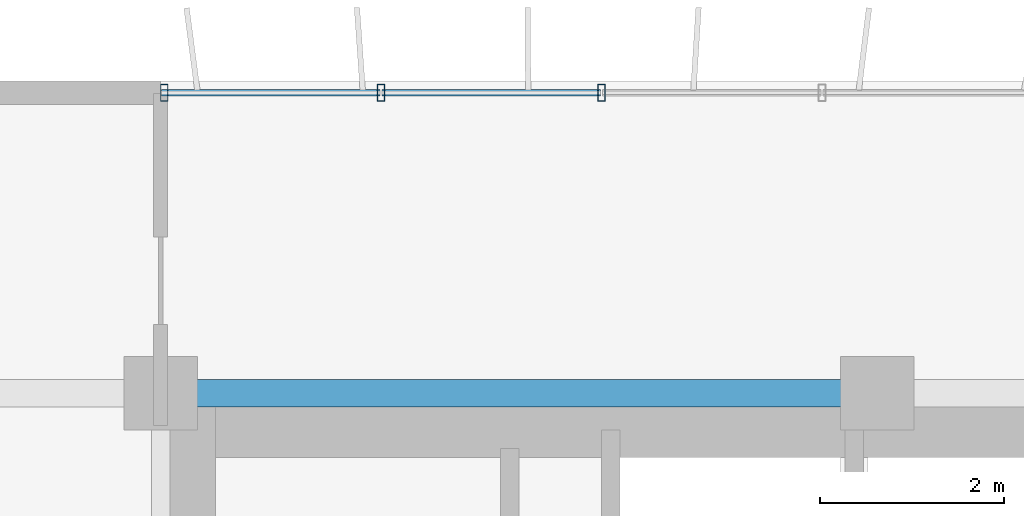
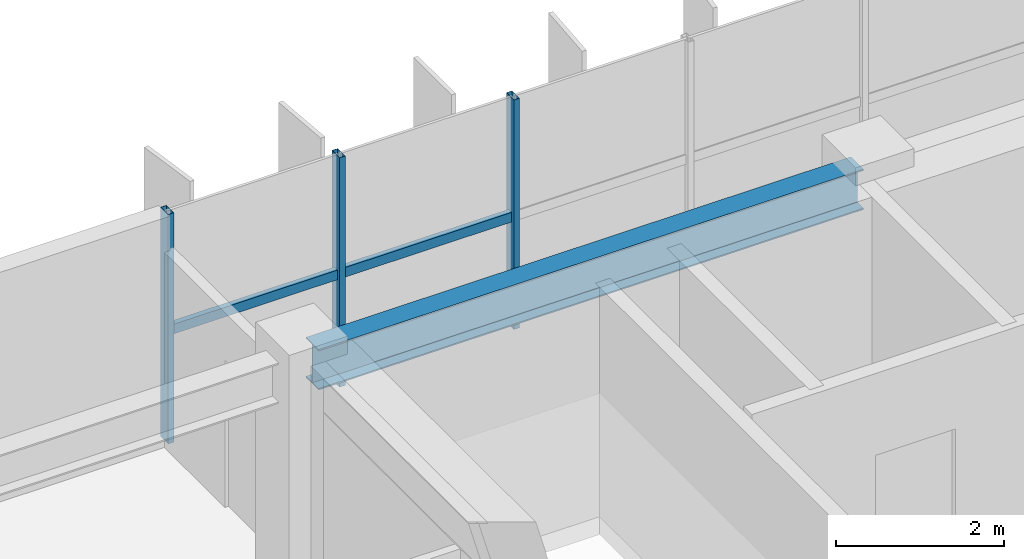
# One storey, part 5 of 22: 5 members, 1 beam, 1 element without a shape of its own.
"""IFC4 building model written with IfcOpenShell, lengths in metres."""

import ifcopenshell
import ifcopenshell.guid

model = None  # the IFC model being written
_history = None  # IfcOwnerHistory: only IFC2X3 demands one
_inside = {}  # id of a spatial element -> (the spatial element, [elements in it])
_under = {}  # id of a project, library or spatial element -> (it, [spatial elements below it])
_declared = {}  # id of a project -> (the project, [libraries it declares])
_typed = {}  # id of a type object -> (the type object, [elements of that type])
_made_of = {}  # id of a material, layer set ... -> (it, [elements and type objects made of it])


def new_model(schema):
    """Start an empty IFC model of exactly this schema.

    Asked for "IFC4X3", IfcOpenShell would pick the latest addendum, in which some entities
    have other attributes; the version numbers below select the first issue.
    IFC2X3 requires an IfcOwnerHistory on every rooted entity: one is made here for all.
    """
    global model, _history
    if schema == "IFC4X3":
        model = ifcopenshell.file(schema_version=(4, 3, 0, 0))
    else:
        model = ifcopenshell.file(schema=schema)
    _inside.clear()
    _under.clear()
    _declared.clear()
    _typed.clear()
    _made_of.clear()
    _history = None
    if model.schema == "IFC2X3":
        org = make("IfcOrganization", Name="unknown")
        user = make(
            "IfcPersonAndOrganization",
            ThePerson=make("IfcPerson", FamilyName="unknown"),
            TheOrganization=org,
        )
        app = make(
            "IfcApplication",
            ApplicationDeveloper=org,
            Version="unknown",
            ApplicationFullName="unknown",
            ApplicationIdentifier="unknown",
        )
        _history = make(
            "IfcOwnerHistory",
            OwningUser=user,
            OwningApplication=app,
            ChangeAction="ADDED",
            CreationDate=0,
        )
    return model


def make(cls, **values):
    """One entity of the class cls with the attributes given. An attribute that is None is left unset."""
    return model.create_entity(
        cls, **{name: value for name, value in values.items() if value is not None}
    )


def rooted(cls, **values):
    """An entity with a GlobalId (a new one), such as an element, a storey or a relation."""
    return make(cls, GlobalId=ifcopenshell.guid.new(), OwnerHistory=_history, **values)


def si_unit(unit_type, name, prefix=None):
    """IfcSIUnit, for example si_unit("LENGTHUNIT", "METRE", prefix="MILLI")."""
    return make("IfcSIUnit", UnitType=unit_type, Prefix=prefix, Name=name)


def assignment(units):
    """IfcUnitAssignment: the units of a project."""
    return None if units is None else make("IfcUnitAssignment", Units=units)


def point(xyz):
    """IfcCartesianPoint."""
    return None if xyz is None else make("IfcCartesianPoint", Coordinates=xyz)


def direction(xyz):
    """IfcDirection."""
    return None if xyz is None else make("IfcDirection", DirectionRatios=xyz)


def frame(location, z_axis=None, x_axis=None):
    """IfcAxis2Placement3D, a coordinate frame: its origin and axes. An axis left out is left unset."""
    return make(
        "IfcAxis2Placement3D",
        Location=point(location),
        Axis=direction(z_axis),
        RefDirection=direction(x_axis),
    )


def frame_2d(location, x_axis=None):
    """IfcAxis2Placement2D, a coordinate frame in the plane: its origin and x axis."""
    return make(
        "IfcAxis2Placement2D", Location=point(location), RefDirection=direction(x_axis)
    )


def origin():
    """The frame at (0, 0, 0) with its axes left unset."""
    return frame((0.0, 0.0, 0.0))


def origin_2d():
    """The frame at (0, 0) in the plane with its x axis left unset."""
    return frame_2d((0.0, 0.0))


def place(relative_to, where):
    """IfcLocalPlacement: puts the frame where relative to a parent placement (None: the world)."""
    return make(
        "IfcLocalPlacement", PlacementRelTo=relative_to, RelativePlacement=where
    )


def context(
    kind, dimensions, precision=None, world=None, true_north=None, identifier=None
):
    """IfcGeometricRepresentationContext, for example the 3D "Model" context."""
    return make(
        "IfcGeometricRepresentationContext",
        ContextIdentifier=identifier,
        ContextType=kind,
        CoordinateSpaceDimension=dimensions,
        Precision=precision,
        WorldCoordinateSystem=world,
        TrueNorth=true_north,
    )


def subcontext(parent, identifier, kind, view, scale=None):
    """IfcGeometricRepresentationSubContext, for example "Body" below "Model"."""
    return make(
        "IfcGeometricRepresentationSubContext",
        ContextIdentifier=identifier,
        ContextType=kind,
        ParentContext=parent,
        TargetScale=scale,
        TargetView=view,
    )


def project(units=None, contexts=None):
    """IfcProject with its units and contexts."""
    return rooted(
        "IfcProject",
        Name="project",
        RepresentationContexts=contexts,
        UnitsInContext=assignment(units),
    )


def spatial(cls, under=None, at=None, **own):
    """A site, building, storey or space (cls), placed at a placement, below another one or the project."""
    s = rooted(cls, ObjectPlacement=at, **own)
    if under is not None:
        _under.setdefault(under.id(), (under, []))[1].append(s)
    return s


def profile(cls, at=None, kind="AREA", **sizes):
    """A parametric profile (cls). Its sizes go by their IFC names, for example OverallWidth=200.0."""
    return make(cls, ProfileType=kind, Position=at, **sizes)


def hollow_rectangle(**sizes):
    """IfcRectangleHollowProfileDef."""
    return profile("IfcRectangleHollowProfileDef", **sizes)


def i_section(**sizes):
    """IfcIShapeProfileDef."""
    return profile("IfcIShapeProfileDef", **sizes)


def extrude(swept, where, along, depth):
    """IfcExtrudedAreaSolid: the profile swept, set in the frame where, extruded along a direction by depth."""
    return make(
        "IfcExtrudedAreaSolid",
        SweptArea=swept,
        Position=where,
        ExtrudedDirection=direction(along),
        Depth=depth,
    )


def shape(context_of_items, identifier, shape_type, items):
    """IfcShapeRepresentation: the items that make up one representation, for example the "Body"."""
    return make(
        "IfcShapeRepresentation",
        ContextOfItems=context_of_items,
        RepresentationIdentifier=identifier,
        RepresentationType=shape_type,
        Items=items,
    )


def source(mapping_origin, context_of_items, identifier, shape_type, items):
    """IfcRepresentationMap: a shape defined once, which mapped items show again and again."""
    return make(
        "IfcRepresentationMap",
        MappingOrigin=mapping_origin,
        MappedRepresentation=shape(context_of_items, identifier, shape_type, items),
    )


def transform(
    local_origin,
    x_axis=None,
    y_axis=None,
    z_axis=None,
    scale=None,
    scale2=None,
    scale3=None,
    uniform=True,
):
    """IfcCartesianTransformationOperator3D, or its non-uniform kind. x_axis, y_axis, z_axis: its Axis1, 2, 3."""
    if uniform:
        return make(
            "IfcCartesianTransformationOperator3D",
            Axis1=direction(x_axis),
            Axis2=direction(y_axis),
            LocalOrigin=point(local_origin),
            Scale=scale,
            Axis3=direction(z_axis),
        )
    return make(
        "IfcCartesianTransformationOperator3DnonUniform",
        Axis1=direction(x_axis),
        Axis2=direction(y_axis),
        LocalOrigin=point(local_origin),
        Scale=scale,
        Axis3=direction(z_axis),
        Scale2=scale2,
        Scale3=scale3,
    )


def mapped(mapping_source, mapping_target):
    """IfcMappedItem: shows the shape of a source again, moved by a transform."""
    return make(
        "IfcMappedItem", MappingSource=mapping_source, MappingTarget=mapping_target
    )


def material(Name=None, Category=None):
    """IfcMaterial."""
    return make("IfcMaterial", Name=Name, Category=Category)


def material_profile(
    of_material, cross_section, Name=None, Category=None, Priority=None
):
    """IfcMaterialProfile: a cross section and its material."""
    return make(
        "IfcMaterialProfile",
        Name=Name,
        Material=of_material,
        Profile=cross_section,
        Priority=Priority,
        Category=Category,
    )


def profile_set(profiles, Name=None, composite=None):
    """IfcMaterialProfileSet."""
    return make(
        "IfcMaterialProfileSet",
        Name=Name,
        MaterialProfiles=profiles,
        CompositeProfile=composite,
    )


def made_of(thing, what):
    """Note that an element or type object is made of a material, layer set ...; save() writes the relation."""
    if what is not None:
        _made_of.setdefault(what.id(), (what, []))[1].append(thing)
    return thing


def type_object(cls, material=None, **own):
    """A type object (cls), such as IfcWallType, which elements share."""
    return made_of(rooted(cls, **own), material)


def element(
    cls,
    number,
    at=None,
    inside=None,
    cuts=None,
    type_object=None,
    material=None,
    context=None,
    identifier="Body",
    shape_type=None,
    held_by="IfcProductDefinitionShape",
    body=None,
    shapes=None,
    **own,
):
    """One element of the class cls, such as IfcWall. Its Tag is "e" and its number.

    at: its placement. inside: the storey or other place that contains it. cuts: it is an
    opening in that element (IfcRelVoidsElement). A single representation is given by context,
    identifier, shape_type and body (its items); several are given by shapes. held_by: the class
    of the entity that holds the representations. save() writes the other relations.
    """
    e = rooted(cls, Tag="e%d" % number, ObjectPlacement=at, **own)
    if body is not None:
        shapes = [shape(context, identifier, shape_type, body)]
    if shapes is not None:
        e.Representation = make(held_by, Representations=shapes)
    if inside is not None:
        _inside.setdefault(inside.id(), (inside, []))[1].append(e)
    if cuts is not None:
        rooted(
            "IfcRelVoidsElement", RelatingBuildingElement=cuts, RelatedOpeningElement=e
        )
    if type_object is not None:
        _typed.setdefault(type_object.id(), (type_object, []))[1].append(e)
    return made_of(e, material)


def aggregate(whole, parts):
    """IfcRelAggregates: a whole, such as a stair, and the parts it consists of."""
    return rooted("IfcRelAggregates", RelatingObject=whole, RelatedObjects=parts)


def save(model, path):
    """Write the relations noted so far, then the file.

    IfcRelAggregates (storeys below a building ...), IfcRelContainedInSpatialStructure (elements
    in a storey), IfcRelDefinesByType, IfcRelAssociatesMaterial and IfcRelDeclares: one each for
    every whole, place, type object, material and project.
    """
    for whole, parts in _under.values():
        aggregate(whole, parts)
    for where, things in _inside.values():
        rooted(
            "IfcRelContainedInSpatialStructure",
            RelatedElements=things,
            RelatingStructure=where,
        )
    for kind, things in _typed.values():
        rooted("IfcRelDefinesByType", RelatedObjects=things, RelatingType=kind)
    for what, things in _made_of.values():
        rooted("IfcRelAssociatesMaterial", RelatedObjects=things, RelatingMaterial=what)
    for by, libraries in _declared.values():
        rooted("IfcRelDeclares", RelatingContext=by, RelatedDefinitions=libraries)
    model.write(path)


model = new_model("IFC4")

# Units and contexts
model_context = context("Model", 3, precision=1e-05, world=origin(), true_north=direction((0.0, 1.0)))
body_context = subcontext(model_context, "Body", "Model", "MODEL_VIEW")
ifc_project = project(units=[si_unit("LENGTHUNIT", "METRE"), si_unit("AREAUNIT", "SQUARE_METRE"), si_unit("VOLUMEUNIT", "CUBIC_METRE"), si_unit("PLANEANGLEUNIT", "RADIAN"), si_unit("MASSUNIT", "GRAM", prefix="KILO")], contexts=[model_context])

# Site, building, storey
site_placement = place(None, origin())
site = spatial("IfcSite", under=ifc_project, at=site_placement, CompositionType="ELEMENT")
building_placement = place(site_placement, origin())
building = spatial("IfcBuilding", under=site, at=building_placement, Name="Trelvane Seafront Commons", CompositionType="ELEMENT")
storey_placement = place(building_placement, frame((0.0, 0.0, 121.300048828125)))
storey = spatial("IfcBuildingStorey", under=building, at=storey_placement, Name="L31", CompositionType="ELEMENT", Elevation=121.300048828125)

# Beam
ifc_material_1 = material(Name="Steel SM355 (S355)", Category="steel")
ifc_material_profile_1 = material_profile(ifc_material_1, i_section(OverallWidth=0.300048828125, OverallDepth=0.587890625, WebThickness=0.011962890625, FlangeThickness=0.02001953125, at=origin_2d()), Name="H-588x300x12x20")
ifc_profile_set_1 = profile_set([ifc_material_profile_1], Name="Steel SM355 (S355)")
beam_type = type_object("IfcBeamType", Name="STR-BM-H588", PredefinedType="BEAM", material=ifc_profile_set_1)
shared_shape_1 = source(origin(), body_context, "Body", "SweptSolid", [
    extrude(i_section(OverallWidth=0.300048828125, OverallDepth=0.587890625, WebThickness=0.011962890625, FlangeThickness=0.02001953125, at=origin_2d()), origin(), (0.0, 0.0, 1.0), 7.5),
])
beam_placement = place(storey_placement, frame((15.75, 45.10009765625, 3.0458984375), z_axis=(1.0, 0.0, 0.0), x_axis=(0.0, 1.0, 0.0)))
element("IfcBeam", 1, at=beam_placement, inside=storey, type_object=beam_type, Name="L31 Primary Girder G-30", PredefinedType="BEAM", context=body_context, shape_type="MappedRepresentation", body=[
    mapped(shared_shape_1, transform((0.0, 0.0, 0.0), x_axis=(1.0, 0.0, 0.0), y_axis=(0.0, 1.0, 0.0), z_axis=(0.0, 0.0, 1.0), scale=1.0)),
])

# Curtain wall, members
ifc_material_2 = material(Name="Anodised pale-silver aluminium", Category="aluminium")
curtain_wall_type = type_object("IfcCurtainWallType", Name="ARCH-CW4-SKYLOBBY", PredefinedType="NOTDEFINED", material=ifc_material_2)
curtain_wall_placement = place(storey_placement, origin())
curtain_wall = element("IfcCurtainWall", 2, at=curtain_wall_placement, inside=storey, type_object=curtain_wall_type, Name="CW-L31-0056", PredefinedType="NOTDEFINED")
ifc_material_profile_2 = material_profile(ifc_material_2, hollow_rectangle(XDim=0.074951171875, YDim=0.139892578125, WallThickness=0.00390625, at=origin_2d()), Name="TRAN-75x140x4")
ifc_profile_set_2 = profile_set([ifc_material_profile_2], Name="Anodised pale-silver aluminium")
member_type_1 = type_object("IfcMemberType", Name="ARCH-CW-TRAN-140", PredefinedType="USERDEFINED", material=ifc_profile_set_2)
shared_shape_2 = source(origin(), body_context, "Body", "SweptSolid", [
    extrude(hollow_rectangle(XDim=0.074951171875, YDim=0.139892578125, WallThickness=0.00390625, at=origin_2d()), origin(), (0.0, 0.0, 1.0), 2.3759765625),
])
member_1_placement = place(storey_placement, frame((15.612060546875, 48.3701171875, 1.60302734375), z_axis=(1.0, 0.0, 0.0), x_axis=(0.0, 1.0, 0.0)))
member_1 = element("IfcMember", 3, at=member_1_placement, type_object=member_type_1, Name="CW-L31-0056-T00", ObjectType="TRANSOM", PredefinedType="USERDEFINED", context=body_context, shape_type="MappedRepresentation", body=[
    mapped(shared_shape_2, transform((0.0, 0.0, 0.0), x_axis=(1.0, 0.0, 0.0), y_axis=(0.0, 1.0, 0.0), z_axis=(0.0, 0.0, 1.0), scale=1.0)),
])
member_2_placement = place(storey_placement, frame((18.011962890625, 48.3701171875, 1.60302734375), z_axis=(1.0, 0.0, 0.0), x_axis=(0.0, 1.0, 0.0)))
member_2 = element("IfcMember", 4, at=member_2_placement, type_object=member_type_1, Name="CW-L31-0056-T01", ObjectType="TRANSOM", PredefinedType="USERDEFINED", context=body_context, shape_type="MappedRepresentation", body=[
    mapped(shared_shape_2, transform((0.0, 0.0, 0.0), x_axis=(1.0, 0.0, 0.0), y_axis=(0.0, 1.0, 0.0), z_axis=(0.0, 0.0, 1.0), scale=1.0)),
])
ifc_material_profile_3 = material_profile(ifc_material_2, hollow_rectangle(XDim=0.080078125, YDim=0.179931640625, WallThickness=0.00439453125, at=origin_2d()), Name="MULL-80x180x4.5")
ifc_profile_set_3 = profile_set([ifc_material_profile_3], Name="Anodised pale-silver aluminium")
member_type_2 = type_object("IfcMemberType", Name="ARCH-CW-MULL-180", PredefinedType="MULLION", material=ifc_profile_set_3)
shared_shape_3 = source(origin(), body_context, "Body", "SweptSolid", [
    extrude(hollow_rectangle(XDim=0.080078125, YDim=0.179931640625, WallThickness=0.00439453125, at=origin_2d()), origin(), (0.0, 0.0, 1.0), 3.33984375),
])
member_3_placement = place(storey_placement, frame((15.639892578125, 48.3701171875, 0.0), z_axis=(0.0, 0.0, 1.0), x_axis=(1.0, 0.0, 0.0)))
member_3 = element("IfcMember", 5, at=member_3_placement, type_object=member_type_2, Name="CW-L31-0056-M00", PredefinedType="MULLION", context=body_context, shape_type="MappedRepresentation", body=[
    mapped(shared_shape_3, transform((0.0, 0.0, 0.0), x_axis=(1.0, 0.0, 0.0), y_axis=(0.0, 1.0, 0.0), z_axis=(0.0, 0.0, 1.0), scale=1.0)),
])
member_4_placement = place(storey_placement, frame((18.0, 48.3701171875, 0.0), z_axis=(0.0, 0.0, 1.0), x_axis=(1.0, 0.0, 0.0)))
member_4 = element("IfcMember", 6, at=member_4_placement, type_object=member_type_2, Name="CW-L31-0056-M01", PredefinedType="MULLION", context=body_context, shape_type="MappedRepresentation", body=[
    mapped(shared_shape_3, transform((0.0, 0.0, 0.0), x_axis=(1.0, 0.0, 0.0), y_axis=(0.0, 1.0, 0.0), z_axis=(0.0, 0.0, 1.0), scale=1.0)),
])
member_5_placement = place(storey_placement, frame((20.39990234375, 48.3701171875, 0.0), z_axis=(0.0, 0.0, 1.0), x_axis=(1.0, 0.0, 0.0)))
member_5 = element("IfcMember", 7, at=member_5_placement, type_object=member_type_2, Name="CW-L31-0056-M02", PredefinedType="MULLION", context=body_context, shape_type="MappedRepresentation", body=[
    mapped(shared_shape_3, transform((0.0, 0.0, 0.0), x_axis=(1.0, 0.0, 0.0), y_axis=(0.0, 1.0, 0.0), z_axis=(0.0, 0.0, 1.0), scale=1.0)),
])
aggregate(curtain_wall, [member_3, member_4, member_5, member_1, member_2])

save(model, "model.ifc")
